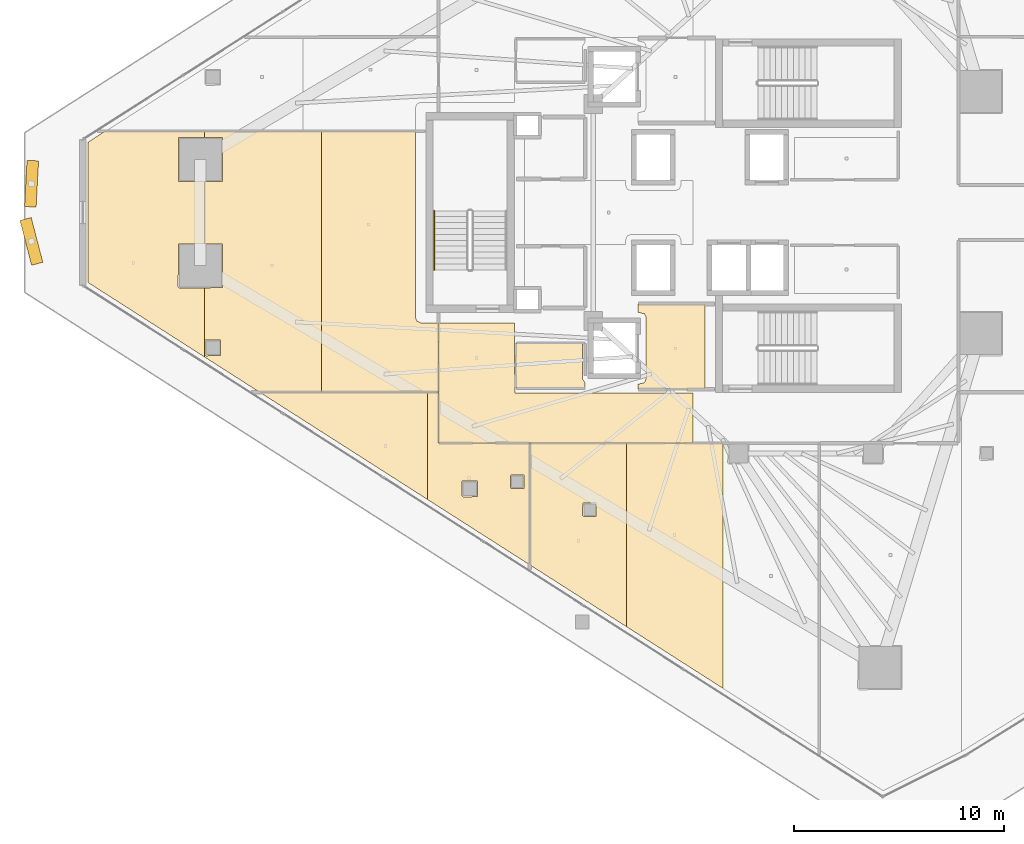
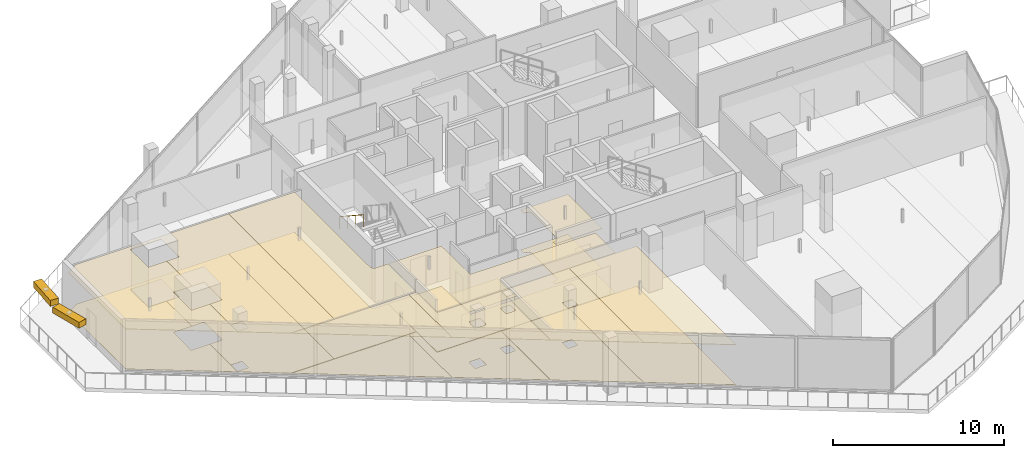
# One storey, part 31 of 37: 19 coverings, 2 shading devices, 1 railing.
"""IFC4 building model written with IfcOpenShell, lengths in metres."""

import ifcopenshell
import ifcopenshell.guid

model = None  # the IFC model being written
_history = None  # IfcOwnerHistory: only IFC2X3 demands one
_inside = {}  # id of a spatial element -> (the spatial element, [elements in it])
_under = {}  # id of a project, library or spatial element -> (it, [spatial elements below it])
_declared = {}  # id of a project -> (the project, [libraries it declares])
_typed = {}  # id of a type object -> (the type object, [elements of that type])
_made_of = {}  # id of a material, layer set ... -> (it, [elements and type objects made of it])


def new_model(schema):
    """Start an empty IFC model of exactly this schema.

    Asked for "IFC4X3", IfcOpenShell would pick the latest addendum, in which some entities
    have other attributes; the version numbers below select the first issue.
    IFC2X3 requires an IfcOwnerHistory on every rooted entity: one is made here for all.
    """
    global model, _history
    if schema == "IFC4X3":
        model = ifcopenshell.file(schema_version=(4, 3, 0, 0))
    else:
        model = ifcopenshell.file(schema=schema)
    _inside.clear()
    _under.clear()
    _declared.clear()
    _typed.clear()
    _made_of.clear()
    _history = None
    if model.schema == "IFC2X3":
        org = make("IfcOrganization", Name="unknown")
        user = make(
            "IfcPersonAndOrganization",
            ThePerson=make("IfcPerson", FamilyName="unknown"),
            TheOrganization=org,
        )
        app = make(
            "IfcApplication",
            ApplicationDeveloper=org,
            Version="unknown",
            ApplicationFullName="unknown",
            ApplicationIdentifier="unknown",
        )
        _history = make(
            "IfcOwnerHistory",
            OwningUser=user,
            OwningApplication=app,
            ChangeAction="ADDED",
            CreationDate=0,
        )
    return model


def make(cls, **values):
    """One entity of the class cls with the attributes given. An attribute that is None is left unset."""
    return model.create_entity(
        cls, **{name: value for name, value in values.items() if value is not None}
    )


def rooted(cls, **values):
    """An entity with a GlobalId (a new one), such as an element, a storey or a relation."""
    return make(cls, GlobalId=ifcopenshell.guid.new(), OwnerHistory=_history, **values)


def si_unit(unit_type, name, prefix=None):
    """IfcSIUnit, for example si_unit("LENGTHUNIT", "METRE", prefix="MILLI")."""
    return make("IfcSIUnit", UnitType=unit_type, Prefix=prefix, Name=name)


def assignment(units):
    """IfcUnitAssignment: the units of a project."""
    return None if units is None else make("IfcUnitAssignment", Units=units)


def point(xyz):
    """IfcCartesianPoint."""
    return None if xyz is None else make("IfcCartesianPoint", Coordinates=xyz)


def direction(xyz):
    """IfcDirection."""
    return None if xyz is None else make("IfcDirection", DirectionRatios=xyz)


def frame(location, z_axis=None, x_axis=None):
    """IfcAxis2Placement3D, a coordinate frame: its origin and axes. An axis left out is left unset."""
    return make(
        "IfcAxis2Placement3D",
        Location=point(location),
        Axis=direction(z_axis),
        RefDirection=direction(x_axis),
    )


def frame_2d(location, x_axis=None):
    """IfcAxis2Placement2D, a coordinate frame in the plane: its origin and x axis."""
    return make(
        "IfcAxis2Placement2D", Location=point(location), RefDirection=direction(x_axis)
    )


def origin():
    """The frame at (0, 0, 0) with its axes left unset."""
    return frame((0.0, 0.0, 0.0))


def origin_2d():
    """The frame at (0, 0) in the plane with its x axis left unset."""
    return frame_2d((0.0, 0.0))


def place(relative_to, where):
    """IfcLocalPlacement: puts the frame where relative to a parent placement (None: the world)."""
    return make(
        "IfcLocalPlacement", PlacementRelTo=relative_to, RelativePlacement=where
    )


def context(
    kind, dimensions, precision=None, world=None, true_north=None, identifier=None
):
    """IfcGeometricRepresentationContext, for example the 3D "Model" context."""
    return make(
        "IfcGeometricRepresentationContext",
        ContextIdentifier=identifier,
        ContextType=kind,
        CoordinateSpaceDimension=dimensions,
        Precision=precision,
        WorldCoordinateSystem=world,
        TrueNorth=true_north,
    )


def subcontext(parent, identifier, kind, view, scale=None):
    """IfcGeometricRepresentationSubContext, for example "Body" below "Model"."""
    return make(
        "IfcGeometricRepresentationSubContext",
        ContextIdentifier=identifier,
        ContextType=kind,
        ParentContext=parent,
        TargetScale=scale,
        TargetView=view,
    )


def project(units=None, contexts=None):
    """IfcProject with its units and contexts."""
    return rooted(
        "IfcProject",
        Name="project",
        RepresentationContexts=contexts,
        UnitsInContext=assignment(units),
    )


def spatial(cls, under=None, at=None, **own):
    """A site, building, storey or space (cls), placed at a placement, below another one or the project."""
    s = rooted(cls, ObjectPlacement=at, **own)
    if under is not None:
        _under.setdefault(under.id(), (under, []))[1].append(s)
    return s


def polyline(points):
    """IfcPolyline through the points."""
    return make("IfcPolyline", Points=[point(p) for p in points])


def profile(cls, at=None, kind="AREA", **sizes):
    """A parametric profile (cls). Its sizes go by their IFC names, for example OverallWidth=200.0."""
    return make(cls, ProfileType=kind, Position=at, **sizes)


def rectangle(**sizes):
    """IfcRectangleProfileDef."""
    return profile("IfcRectangleProfileDef", **sizes)


def circle(**sizes):
    """IfcCircleProfileDef."""
    return profile("IfcCircleProfileDef", **sizes)


def outline(outer, holes=None, kind="AREA"):
    """IfcArbitraryClosedProfileDef: a profile drawn as a closed curve; with holes, ...WithVoids."""
    if holes is None:
        return make("IfcArbitraryClosedProfileDef", ProfileType=kind, OuterCurve=outer)
    return make(
        "IfcArbitraryProfileDefWithVoids",
        ProfileType=kind,
        OuterCurve=outer,
        InnerCurves=holes,
    )


def extrude(swept, where, along, depth):
    """IfcExtrudedAreaSolid: the profile swept, set in the frame where, extruded along a direction by depth."""
    return make(
        "IfcExtrudedAreaSolid",
        SweptArea=swept,
        Position=where,
        ExtrudedDirection=direction(along),
        Depth=depth,
    )


def shape(context_of_items, identifier, shape_type, items):
    """IfcShapeRepresentation: the items that make up one representation, for example the "Body"."""
    return make(
        "IfcShapeRepresentation",
        ContextOfItems=context_of_items,
        RepresentationIdentifier=identifier,
        RepresentationType=shape_type,
        Items=items,
    )


def material(Name=None, Category=None):
    """IfcMaterial."""
    return make("IfcMaterial", Name=Name, Category=Category)


def layer(
    of_material, thickness, ventilated=None, Name=None, Category=None, Priority=None
):
    """IfcMaterialLayer: one layer of a wall or slab, of a material (None: an air gap)."""
    return make(
        "IfcMaterialLayer",
        Material=of_material,
        LayerThickness=thickness,
        IsVentilated=ventilated,
        Name=Name,
        Category=Category,
        Priority=Priority,
    )


def layer_set(layers, Name=None):
    """IfcMaterialLayerSet."""
    return make("IfcMaterialLayerSet", MaterialLayers=layers, LayerSetName=Name)


def made_of(thing, what):
    """Note that an element or type object is made of a material, layer set ...; save() writes the relation."""
    if what is not None:
        _made_of.setdefault(what.id(), (what, []))[1].append(thing)
    return thing


def type_object(cls, material=None, **own):
    """A type object (cls), such as IfcWallType, which elements share."""
    return made_of(rooted(cls, **own), material)


def element(
    cls,
    number,
    at=None,
    inside=None,
    cuts=None,
    type_object=None,
    material=None,
    context=None,
    identifier="Body",
    shape_type=None,
    held_by="IfcProductDefinitionShape",
    body=None,
    shapes=None,
    **own,
):
    """One element of the class cls, such as IfcWall. Its Tag is "e" and its number.

    at: its placement. inside: the storey or other place that contains it. cuts: it is an
    opening in that element (IfcRelVoidsElement). A single representation is given by context,
    identifier, shape_type and body (its items); several are given by shapes. held_by: the class
    of the entity that holds the representations. save() writes the other relations.
    """
    e = rooted(cls, Tag="e%d" % number, ObjectPlacement=at, **own)
    if body is not None:
        shapes = [shape(context, identifier, shape_type, body)]
    if shapes is not None:
        e.Representation = make(held_by, Representations=shapes)
    if inside is not None:
        _inside.setdefault(inside.id(), (inside, []))[1].append(e)
    if cuts is not None:
        rooted(
            "IfcRelVoidsElement", RelatingBuildingElement=cuts, RelatedOpeningElement=e
        )
    if type_object is not None:
        _typed.setdefault(type_object.id(), (type_object, []))[1].append(e)
    return made_of(e, material)


def aggregate(whole, parts):
    """IfcRelAggregates: a whole, such as a stair, and the parts it consists of."""
    return rooted("IfcRelAggregates", RelatingObject=whole, RelatedObjects=parts)


def save(model, path):
    """Write the relations noted so far, then the file.

    IfcRelAggregates (storeys below a building ...), IfcRelContainedInSpatialStructure (elements
    in a storey), IfcRelDefinesByType, IfcRelAssociatesMaterial and IfcRelDeclares: one each for
    every whole, place, type object, material and project.
    """
    for whole, parts in _under.values():
        aggregate(whole, parts)
    for where, things in _inside.values():
        rooted(
            "IfcRelContainedInSpatialStructure",
            RelatedElements=things,
            RelatingStructure=where,
        )
    for kind, things in _typed.values():
        rooted("IfcRelDefinesByType", RelatedObjects=things, RelatingType=kind)
    for what, things in _made_of.values():
        rooted("IfcRelAssociatesMaterial", RelatedObjects=things, RelatingMaterial=what)
    for by, libraries in _declared.values():
        rooted("IfcRelDeclares", RelatingContext=by, RelatedDefinitions=libraries)
    model.write(path)


model = new_model("IFC4")

# Units and contexts
model_context = context("Model", 3, precision=1e-05, world=origin(), true_north=direction((0.0, 1.0)))
body_context = subcontext(model_context, "Body", "Model", "MODEL_VIEW")
ifc_project = project(units=[si_unit("LENGTHUNIT", "METRE"), si_unit("AREAUNIT", "SQUARE_METRE"), si_unit("VOLUMEUNIT", "CUBIC_METRE"), si_unit("PLANEANGLEUNIT", "RADIAN"), si_unit("MASSUNIT", "GRAM", prefix="KILO")], contexts=[model_context])

# Site, building, storey
site_placement = place(None, origin())
site = spatial("IfcSite", under=ifc_project, at=site_placement, CompositionType="ELEMENT")
building_placement = place(site_placement, origin())
building = spatial("IfcBuilding", under=site, at=building_placement, Name="Qorvath Tower", CompositionType="ELEMENT")
storey_placement = place(building_placement, frame((0.0, 0.0, 196.949951171875)))
storey = spatial("IfcBuildingStorey", under=building, at=storey_placement, Name="L45", CompositionType="ELEMENT", Elevation=196.949951171875)

# Coverings
ifc_material_1 = material(Name="Acoustic mineral fibre ceiling tile", Category="gypsum")
ifc_layer_1 = layer(ifc_material_1, 0.030029296875)
ifc_layer_set_1 = layer_set([ifc_layer_1], Name="COV-CEIL")
covering_type_1 = type_object("IfcCoveringType", Name="COV-CEIL", PredefinedType="CEILING", material=ifc_layer_set_1)
covering_1_placement = place(storey_placement, frame((0.0, 0.0, 2.85009765625)))
element("IfcCovering", 1, at=covering_1_placement, inside=storey, type_object=covering_type_1, Name="L45 Suspended Acoustic Ceiling 002", PredefinedType="CEILING", context=body_context, shape_type="SweptSolid", body=[
    extrude(outline(polyline([(-25.18994140625, -8.39501953125), (-25.18994140625, -4.35498046875), (-28.375, -4.35498046875), (-28.375, -4.739990234375), (-28.063232421875, -4.813232421875), (-27.989990234375, -4.989990234375), (-27.989990234375, -7.909912109375), (-28.063232421875, -8.086669921875), (-28.375, -8.159912109375), (-28.375, -8.39501953125), (-25.18994140625, -8.39501953125)])), origin(), (0.0, 0.0, 1.0), 0.030029296875),
])
covering_2_placement = place(storey_placement, frame((0.0, 0.0, 2.85009765625)))
element("IfcCovering", 2, at=covering_2_placement, inside=storey, type_object=covering_type_1, Name="L45 Suspended Acoustic Ceiling 009", PredefinedType="CEILING", context=body_context, shape_type="SweptSolid", body=[
    extrude(outline(polyline([(-34.22509765625, -8.580078125), (-34.251220703125, -5.239990234375), (-37.844970703125, -5.239990234375), (-37.844970703125, -10.945068359375), (-25.76806640625, -10.945068359375), (-25.76806640625, -8.574462890625), (-34.22509765625, -8.580078125)])), origin(), (0.0, 0.0, 1.0), 0.030029296875),
])
covering_3_placement = place(storey_placement, frame((0.0, 0.0, 2.85009765625)))
element("IfcCovering", 3, at=covering_3_placement, inside=storey, type_object=covering_type_1, Name="L45 Suspended Acoustic Ceiling 020", PredefinedType="CEILING", context=body_context, shape_type="SweptSolid", body=[
    extrude(outline(polyline([(-38.38525390625, -13.63623046875), (-38.38525390625, -8.554931640625), (-46.33544921875, -8.554931640625), (-38.38525390625, -13.63623046875)])), origin(), (0.0, 0.0, 1.0), 0.030029296875),
])
covering_4_placement = place(storey_placement, frame((0.0, 0.0, 2.85009765625)))
element("IfcCovering", 4, at=covering_4_placement, inside=storey, type_object=covering_type_1, Name="L45 Suspended Acoustic Ceiling 021", PredefinedType="CEILING", context=body_context, shape_type="SweptSolid", body=[
    extrude(outline(polyline([(-37.861572265625, -10.96142578125), (-37.863037109375, -8.554931640625), (-38.38525390625, -8.554931640625), (-38.38525390625, -13.63623046875), (-33.523681640625, -16.743408203125), (-33.523681640625, -10.962890625), (-37.861572265625, -10.96142578125)]), holes=[polyline([(-34.439208984375, -13.0673828125), (-34.421630859375, -12.47509765625), (-33.786865234375, -12.47509765625), (-33.786865234375, -13.10986328125), (-34.379150390625, -13.12744140625), (-34.439208984375, -13.0673828125)]), polyline([(-36.749755859375, -13.46044921875), (-36.732177734375, -12.76806640625), (-35.997314453125, -12.76806640625), (-35.997314453125, -13.5029296875), (-36.689697265625, -13.5205078125), (-36.749755859375, -13.46044921875)])]), origin(), (0.0, 0.0, 1.0), 0.030029296875),
])
covering_5_placement = place(storey_placement, frame((0.0, 0.0, 2.85009765625)))
element("IfcCovering", 5, at=covering_5_placement, inside=storey, type_object=covering_type_1, Name="L45 Suspended Acoustic Ceiling 022", PredefinedType="CEILING", context=body_context, shape_type="SweptSolid", body=[
    extrude(outline(polyline([(-33.505615234375, -10.962890625), (-33.505615234375, -16.7548828125), (-28.9228515625, -19.683837890625), (-28.9228515625, -10.962890625), (-33.505615234375, -10.962890625)]), holes=[polyline([(-31.01220703125, -14.3994140625), (-30.99462890625, -13.806884765625), (-30.35986328125, -13.806884765625), (-30.35986328125, -14.441650390625), (-30.9521484375, -14.459228515625), (-31.01220703125, -14.3994140625)])]), origin(), (0.0, 0.0, 1.0), 0.030029296875),
])
covering_6_placement = place(storey_placement, frame((0.0, 0.0, 2.85009765625)))
element("IfcCovering", 6, at=covering_6_placement, inside=storey, type_object=covering_type_1, Name="L45 Suspended Acoustic Ceiling 023", PredefinedType="CEILING", context=body_context, shape_type="SweptSolid", body=[
    extrude(outline(polyline([(-28.9228515625, -10.962890625), (-28.9228515625, -19.683837890625), (-24.340087890625, -22.61279296875), (-24.340087890625, -10.962890625), (-28.9228515625, -10.962890625)])), origin(), (0.0, 0.0, 1.0), 0.030029296875),
])
covering_7_placement = place(storey_placement, frame((0.0, 0.0, 2.85009765625)))
element("IfcCovering", 7, at=covering_7_placement, inside=storey, type_object=covering_type_1, Name="L45 Suspended Acoustic Ceiling 034", PredefinedType="CEILING", context=body_context, shape_type="SweptSolid", body=[
    extrude(outline(polyline([(-53.726318359375, 3.85498046875), (-54.52783203125, 3.331787109375), (-54.5078125, -3.331787109375), (-48.972900390625, -6.869384765625), (-48.972900390625, -3.577392578125), (-50.171875, -3.587890625), (-50.23193359375, -3.52783203125), (-50.21435546875, -1.4853515625), (-48.972900390625, -1.4853515625), (-48.972900390625, 1.4853515625), (-50.21435546875, 1.4853515625), (-50.21435546875, 3.5703125), (-48.972900390625, 3.5703125), (-48.972900390625, 3.85595703125), (-53.726318359375, 3.85498046875)])), origin(), (0.0, 0.0, 1.0), 0.030029296875),
])
covering_8_placement = place(storey_placement, frame((0.0, 0.0, 2.85009765625)))
element("IfcCovering", 8, at=covering_8_placement, inside=storey, type_object=covering_type_1, Name="L45 Suspended Acoustic Ceiling 035", PredefinedType="CEILING", context=body_context, shape_type="SweptSolid", body=[
    extrude(outline(polyline([(-48.972900390625, 3.85595703125), (-48.972900390625, 3.5703125), (-48.12939453125, 3.5703125), (-48.12939453125, 1.4853515625), (-48.972900390625, 1.4853515625), (-48.972900390625, -1.4853515625), (-48.12939453125, -1.4853515625), (-48.12939453125, -3.5703125), (-48.972900390625, -3.577392578125), (-48.972900390625, -6.869384765625), (-46.363525390625, -8.537109375), (-43.41796875, -8.537109375), (-43.41796875, 3.85693359375), (-48.972900390625, 3.85595703125)]), holes=[polyline([(-48.96337890625, -6.74951171875), (-48.94580078125, -6.05712890625), (-48.2109375, -6.05712890625), (-48.2109375, -6.7919921875), (-48.9033203125, -6.8095703125), (-48.96337890625, -6.74951171875)])]), origin(), (0.0, 0.0, 1.0), 0.030029296875),
])
covering_9_placement = place(storey_placement, frame((0.0, 0.0, 2.85009765625)))
element("IfcCovering", 9, at=covering_9_placement, inside=storey, type_object=covering_type_1, Name="L45 Suspended Acoustic Ceiling 036", PredefinedType="CEILING", context=body_context, shape_type="SweptSolid", body=[
    extrude(outline(polyline([(-43.41796875, 3.85693359375), (-43.41796875, -8.537109375), (-37.863037109375, -8.537109375), (-37.863037109375, -5.239990234375), (-38.699951171875, -5.239990234375), (-38.876708984375, -5.166748046875), (-38.949951171875, -4.989990234375), (-38.949951171875, 3.85791015625), (-43.41796875, 3.85693359375)])), origin(), (0.0, 0.0, 1.0), 0.030029296875),
])
ifc_material_2 = material(Name="Low-VOC modular carpet tile", Category="textile")
ifc_layer_2 = layer(ifc_material_2, 0.014892578125)
ifc_layer_set_2 = layer_set([ifc_layer_2], Name="COV-FLOOR-CPT")
covering_type_2 = type_object("IfcCoveringType", Name="COV-FLOOR-CPT", PredefinedType="FLOORING", material=ifc_layer_set_2)
covering_10_placement = place(storey_placement, origin())
element("IfcCovering", 10, at=covering_10_placement, inside=storey, type_object=covering_type_2, Name="L45 Floor Finish 020", PredefinedType="FLOORING", context=body_context, shape_type="SweptSolid", body=[
    extrude(outline(polyline([(-38.38525390625, -13.63623046875), (-38.38525390625, -8.554931640625), (-46.33544921875, -8.554931640625), (-38.38525390625, -13.63623046875)])), origin(), (0.0, 0.0, 1.0), 0.01513671875),
])
covering_11_placement = place(storey_placement, origin())
element("IfcCovering", 11, at=covering_11_placement, inside=storey, type_object=covering_type_2, Name="L45 Floor Finish 021", PredefinedType="FLOORING", context=body_context, shape_type="SweptSolid", body=[
    extrude(outline(polyline([(-37.861572265625, -10.96142578125), (-37.863037109375, -8.554931640625), (-38.38525390625, -8.554931640625), (-38.38525390625, -13.63623046875), (-33.523681640625, -16.743408203125), (-33.523681640625, -10.962890625), (-37.861572265625, -10.96142578125)]), holes=[polyline([(-34.439208984375, -13.0673828125), (-34.421630859375, -12.47509765625), (-33.786865234375, -12.47509765625), (-33.786865234375, -13.10986328125), (-34.379150390625, -13.12744140625), (-34.439208984375, -13.0673828125)]), polyline([(-36.749755859375, -13.46044921875), (-36.732177734375, -12.76806640625), (-35.997314453125, -12.76806640625), (-35.997314453125, -13.5029296875), (-36.689697265625, -13.5205078125), (-36.749755859375, -13.46044921875)])]), origin(), (0.0, 0.0, 1.0), 0.01513671875),
])
covering_12_placement = place(storey_placement, origin())
element("IfcCovering", 12, at=covering_12_placement, inside=storey, type_object=covering_type_2, Name="L45 Floor Finish 022", PredefinedType="FLOORING", context=body_context, shape_type="SweptSolid", body=[
    extrude(outline(polyline([(-33.505615234375, -10.962890625), (-33.505615234375, -16.7548828125), (-28.9228515625, -19.683837890625), (-28.9228515625, -10.962890625), (-33.505615234375, -10.962890625)]), holes=[polyline([(-31.01220703125, -14.3994140625), (-30.99462890625, -13.806884765625), (-30.35986328125, -13.806884765625), (-30.35986328125, -14.441650390625), (-30.9521484375, -14.459228515625), (-31.01220703125, -14.3994140625)])]), origin(), (0.0, 0.0, 1.0), 0.01513671875),
])
covering_13_placement = place(storey_placement, origin())
element("IfcCovering", 13, at=covering_13_placement, inside=storey, type_object=covering_type_2, Name="L45 Floor Finish 023", PredefinedType="FLOORING", context=body_context, shape_type="SweptSolid", body=[
    extrude(outline(polyline([(-28.9228515625, -10.962890625), (-28.9228515625, -19.683837890625), (-24.340087890625, -22.61279296875), (-24.340087890625, -10.962890625), (-28.9228515625, -10.962890625)])), origin(), (0.0, 0.0, 1.0), 0.01513671875),
])
covering_14_placement = place(storey_placement, origin())
element("IfcCovering", 14, at=covering_14_placement, inside=storey, type_object=covering_type_2, Name="L45 Floor Finish 034", PredefinedType="FLOORING", context=body_context, shape_type="SweptSolid", body=[
    extrude(outline(polyline([(-53.726318359375, 3.85498046875), (-54.52783203125, 3.331787109375), (-54.5078125, -3.331787109375), (-48.972900390625, -6.869384765625), (-48.972900390625, -3.577392578125), (-50.171875, -3.587890625), (-50.23193359375, -3.52783203125), (-50.21435546875, -1.4853515625), (-48.972900390625, -1.4853515625), (-48.972900390625, 1.4853515625), (-50.21435546875, 1.4853515625), (-50.21435546875, 3.5703125), (-48.972900390625, 3.5703125), (-48.972900390625, 3.85595703125), (-53.726318359375, 3.85498046875)])), origin(), (0.0, 0.0, 1.0), 0.01513671875),
])
covering_15_placement = place(storey_placement, origin())
element("IfcCovering", 15, at=covering_15_placement, inside=storey, type_object=covering_type_2, Name="L45 Floor Finish 035", PredefinedType="FLOORING", context=body_context, shape_type="SweptSolid", body=[
    extrude(outline(polyline([(-48.972900390625, 3.85595703125), (-48.972900390625, 3.5703125), (-48.12939453125, 3.5703125), (-48.12939453125, 1.4853515625), (-48.972900390625, 1.4853515625), (-48.972900390625, -1.4853515625), (-48.12939453125, -1.4853515625), (-48.12939453125, -3.5703125), (-48.972900390625, -3.577392578125), (-48.972900390625, -6.869384765625), (-46.363525390625, -8.537109375), (-43.41796875, -8.537109375), (-43.41796875, 3.85693359375), (-48.972900390625, 3.85595703125)]), holes=[polyline([(-48.96337890625, -6.74951171875), (-48.94580078125, -6.05712890625), (-48.2109375, -6.05712890625), (-48.2109375, -6.7919921875), (-48.9033203125, -6.8095703125), (-48.96337890625, -6.74951171875)])]), origin(), (0.0, 0.0, 1.0), 0.01513671875),
])
covering_16_placement = place(storey_placement, origin())
element("IfcCovering", 16, at=covering_16_placement, inside=storey, type_object=covering_type_2, Name="L45 Floor Finish 036", PredefinedType="FLOORING", context=body_context, shape_type="SweptSolid", body=[
    extrude(outline(polyline([(-43.41796875, 3.85693359375), (-43.41796875, -8.537109375), (-37.863037109375, -8.537109375), (-37.863037109375, -5.239990234375), (-38.699951171875, -5.239990234375), (-38.876708984375, -5.166748046875), (-38.949951171875, -4.989990234375), (-38.949951171875, 3.85791015625), (-43.41796875, 3.85693359375)])), origin(), (0.0, 0.0, 1.0), 0.01513671875),
])
ifc_material_3 = material(Name="Polished epoxy terrazzo flooring", Category="concrete")
ifc_layer_3 = layer(ifc_material_3, 0.02001953125)
ifc_layer_set_3 = layer_set([ifc_layer_3], Name="COV-FLOOR-TRZ")
covering_type_3 = type_object("IfcCoveringType", Name="COV-FLOOR-TRZ", PredefinedType="FLOORING", material=ifc_layer_set_3)
covering_17_placement = place(storey_placement, origin())
element("IfcCovering", 17, at=covering_17_placement, inside=storey, type_object=covering_type_3, Name="L45 Floor Finish 002", PredefinedType="FLOORING", context=body_context, shape_type="SweptSolid", body=[
    extrude(outline(polyline([(-25.18994140625, -8.39501953125), (-25.18994140625, -4.35498046875), (-28.375, -4.35498046875), (-28.375, -4.739990234375), (-28.063232421875, -4.813232421875), (-27.989990234375, -4.989990234375), (-27.989990234375, -7.909912109375), (-28.063232421875, -8.086669921875), (-28.375, -8.159912109375), (-28.375, -8.39501953125), (-25.18994140625, -8.39501953125)])), origin(), (0.0, 0.0, 1.0), 0.01513671875),
])
covering_18_placement = place(storey_placement, origin())
element("IfcCovering", 18, at=covering_18_placement, inside=storey, type_object=covering_type_3, Name="L45 Floor Finish 007", PredefinedType="FLOORING", context=body_context, shape_type="SweptSolid", body=[
    extrude(outline(polyline([(-30.885009765625, -8.344970703125), (-30.885009765625, -8.108154296875), (-31.010009765625, -7.909912109375), (-31.010009765625, -6.205078125), (-34.175048828125, -6.205078125), (-34.175048828125, -8.344970703125), (-30.885009765625, -8.344970703125)])), origin(), (0.0, 0.0, 1.0), 0.01513671875),
])
covering_19_placement = place(storey_placement, origin())
element("IfcCovering", 19, at=covering_19_placement, inside=storey, type_object=covering_type_3, Name="L45 Floor Finish 009", PredefinedType="FLOORING", context=body_context, shape_type="SweptSolid", body=[
    extrude(outline(polyline([(-34.22509765625, -8.580078125), (-34.251220703125, -5.239990234375), (-37.844970703125, -5.239990234375), (-37.844970703125, -10.945068359375), (-25.76806640625, -10.945068359375), (-25.76806640625, -8.574462890625), (-34.22509765625, -8.580078125)])), origin(), (0.0, 0.0, 1.0), 0.01513671875),
])

# Railing
ifc_material_4 = material(Name="Brushed stainless steel AISI 304", Category="steel")
railing_type = type_object("IfcRailingType", Name="RL-STR-HND", PredefinedType="HANDRAIL", material=ifc_material_4)
railing_placement = place(storey_placement, frame((-38.06005859375, 0.080078125, 2.209228515625)))
element("IfcRailing", 20, at=railing_placement, inside=storey, type_object=railing_type, Name="L45 TS3 stair handrail 2", PredefinedType="HANDRAIL", context=body_context, shape_type="SweptSolid", body=[
    extrude(circle(Radius=0.02392578125, at=origin_2d()), frame((0.0, 0.0, 0.8759765625), z_axis=(0.0, -0.835597507184, 0.549342157483), x_axis=(1.0, 0.0, 0.0)), (0.0, 0.0, 1.0), 3.35107421875),
    extrude(circle(Radius=0.02099609375, at=origin_2d()), origin(), (0.0, 0.0, 1.0), 0.851806640625),
    extrude(circle(Radius=0.02099609375, at=origin_2d()), frame((0.0, -0.933349609375, 0.613525390625)), (0.0, 0.0, 1.0), 0.851806640625),
    extrude(circle(Radius=0.02099609375, at=origin_2d()), frame((0.0, -1.86669921875, 1.227294921875)), (0.0, 0.0, 1.0), 0.851806640625),
    extrude(circle(Radius=0.02099609375, at=origin_2d()), frame((0.0, -2.800048828125, 1.8408203125)), (0.0, 0.0, 1.0), 0.851806640625),
])

# Shading devices
ifc_material_5 = material(Name="Anodised bronze-champagne aluminium", Category="aluminium")
shading_device_type = type_object("IfcShadingDeviceType", Name="SD-LOUVRE", PredefinedType="JALOUSIE", material=ifc_material_5)
for number, where, z_axis, x_axis, name in (
    (21, (-57.19873046875, 1.369873046875, 3.360107421875), (0.0, 0.0, 1.0), (-0.053186490579, -0.998584596927, 0.0), "Sinusoidal Wave Louvre Blade L45-01"),
    (22, (-57.206298828125, -1.369873046875, 3.360107421875), (0.0, 0.0, 1.0), (0.251647091481, -0.967819064366, 0.0), "Sinusoidal Wave Louvre Blade L45-02"),
):
    element("IfcShadingDevice", number, at=place(storey_placement, frame(where, z_axis=z_axis, x_axis=x_axis)), inside=storey, type_object=shading_device_type, Name=name, PredefinedType="NOTDEFINED", context=body_context, shape_type="SweptSolid", body=[
        extrude(rectangle(XDim=2.199951171875, YDim=0.550048828125, at=origin_2d()), origin(), (0.0, 0.0, 1.0), 0.419921875),
    ])

save(model, "model.ifc")
